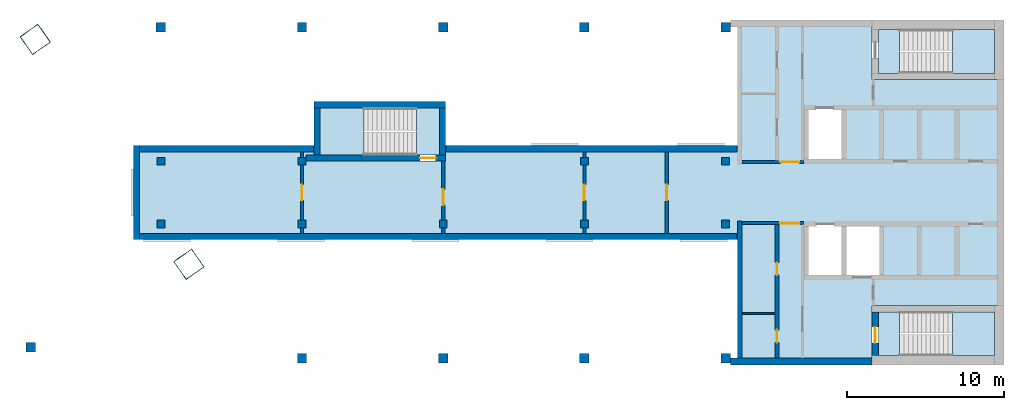
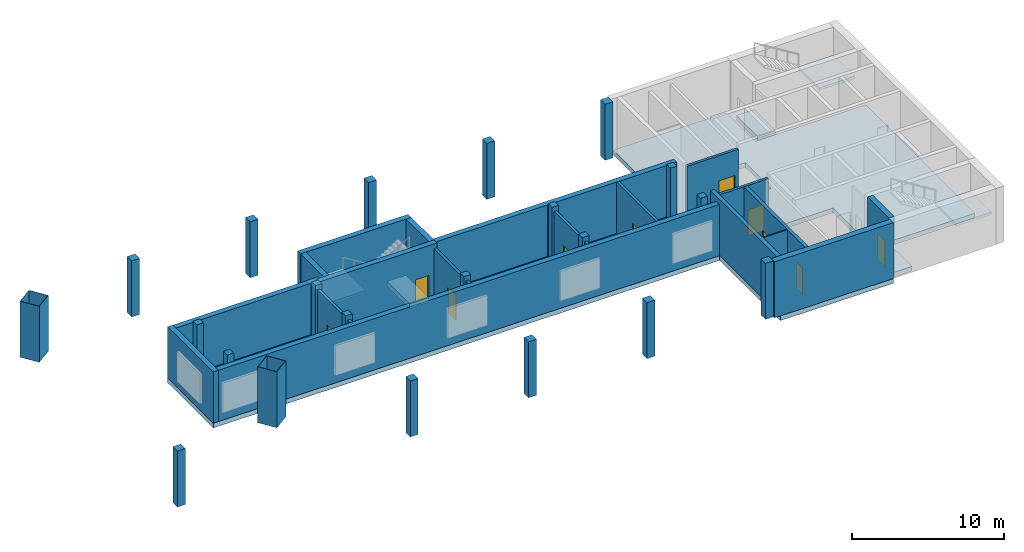
# One storey, part 1 of 4: 21 columns, 19 walls, 10 doors, 7 slabs, 10 openings, 3 elements without a shape of their own.
"""IFC4 building model written with IfcOpenShell, lengths in metres."""

from ifc_helpers import new_model, si_unit, direction, frame, frame_2d, origin, origin_2d, place, context, subcontext, project, spatial, polyline, rectangle, hollow_rectangle, outline, extrude, material, layer, layer_set, material_profile, profile_set, type_object, element, fill, aggregate, save


model = new_model("IFC4")

# Units and contexts
model_context = context("Model", 3, precision=1e-05, world=origin(), true_north=direction((0.0, 1.0)))
body_context = subcontext(model_context, "Body", "Model", "MODEL_VIEW")
ifc_project = project(units=[si_unit("LENGTHUNIT", "METRE"), si_unit("AREAUNIT", "SQUARE_METRE"), si_unit("VOLUMEUNIT", "CUBIC_METRE"), si_unit("PLANEANGLEUNIT", "RADIAN"), si_unit("MASSUNIT", "GRAM", prefix="KILO")], contexts=[model_context])

# Site, building, storey
site_placement = place(None, origin())
site = spatial("IfcSite", under=ifc_project, at=site_placement, CompositionType="ELEMENT")
building_placement = place(site_placement, origin())
building = spatial("IfcBuilding", under=site, at=building_placement, Name="Skarvind Civic Tower", CompositionType="ELEMENT")
storey_placement = place(building_placement, frame((0.0, 0.0, 291.0)))
storey = spatial("IfcBuildingStorey", under=building, at=storey_placement, Name="L69", CompositionType="ELEMENT", Elevation=291.0)

# Columns
ifc_material_1 = material(Name="Concrete C60", Category="concrete")
ifc_material_profile_1 = material_profile(ifc_material_1, rectangle(XDim=0.5, YDim=0.5, at=origin_2d()), Name="RC-500x500")
ifc_profile_set_1 = profile_set([ifc_material_profile_1], Name="Concrete C60")
column_type_1 = type_object("IfcColumnType", Name="Column RC-500x500 C60", PredefinedType="COLUMN", material=ifc_profile_set_1)
for number, where, z_axis, x_axis, name in (
    (1, (54.25, 130.0, 0.0), (0.0, 0.0, 1.0), (1.0, 0.0, 0.0), "Column wing 1 north inner 02 L69"),
    (2, (63.25, 130.0, 0.0), (0.0, 0.0, 1.0), (1.0, 0.0, 0.0), "Column wing 1 north inner 03 L69"),
    (3, (81.25, 130.0, 0.0), (0.0, 0.0, 1.0), (1.0, 0.0, 0.0), "Column wing 1 north inner 05 L69"),
    (4, (90.25, 130.0, 0.0), (0.0, 0.0, 1.0), (1.0, 0.0, 0.0), "Column wing 1 north inner 06 L69"),
    (5, (54.25, 126.0, 0.0), (0.0, 0.0, 1.0), (1.0, 0.0, 0.0), "Column wing 1 south inner 02 L69"),
    (6, (63.25, 126.0, 0.0), (0.0, 0.0, 1.0), (1.0, 0.0, 0.0), "Column wing 1 south inner 03 L69"),
    (7, (72.25, 126.0, 0.0), (0.0, 0.0, 1.0), (1.0, 0.0, 0.0), "Column wing 1 south inner 04 L69"),
    (8, (81.25, 126.0, 0.0), (0.0, 0.0, 1.0), (1.0, 0.0, 0.0), "Column wing 1 south inner 05 L69"),
    (9, (90.25, 126.0, 0.0), (0.0, 0.0, 1.0), (1.0, 0.0, 0.0), "Column wing 1 south inner 06 L69"),
):
    element("IfcColumn", number, at=place(storey_placement, frame(where, z_axis=z_axis, x_axis=x_axis)), inside=storey, type_object=column_type_1, Name=name, PredefinedType="COLUMN", context=body_context, shape_type="SweptSolid", body=[
        extrude(rectangle(XDim=0.5, YDim=0.5, at=origin_2d()), origin(), (0.0, 0.0, 1.0), 4.5),
    ])
ifc_material_profile_2 = material_profile(ifc_material_1, rectangle(XDim=0.60009765625, YDim=0.60009765625, at=origin_2d()), Name="RC-600x600")
ifc_profile_set_2 = profile_set([ifc_material_profile_2], Name="Concrete C60")
column_type_2 = type_object("IfcColumnType", Name="Column RC-600x600 C60", PredefinedType="COLUMN", material=ifc_profile_set_2)
for number, where, z_axis, x_axis, name in (
    (10, (54.25, 138.550048828125, 0.0), (0.0, 0.0, 1.0), (1.0, 0.0, 0.0), "Column wing 1 north perimeter 02 L69"),
    (11, (63.25, 138.550048828125, 0.0), (0.0, 0.0, 1.0), (1.0, 0.0, 0.0), "Column wing 1 north perimeter 03 L69"),
    (12, (72.25, 138.550048828125, 0.0), (0.0, 0.0, 1.0), (1.0, 0.0, 0.0), "Column wing 1 north perimeter 04 L69"),
    (13, (81.25, 138.550048828125, 0.0), (0.0, 0.0, 1.0), (1.0, 0.0, 0.0), "Column wing 1 north perimeter 05 L69"),
    (14, (90.25, 138.550048828125, 0.0), (0.0, 0.0, 1.0), (1.0, 0.0, 0.0), "Column wing 1 north perimeter 06 L69"),
    (15, (45.95166015625, 118.151611328125, 0.0), (0.0, 0.0, 1.0), (1.0, 0.0, 0.0), "Column wing 1 south perimeter 01 L69"),
    (16, (63.25, 117.449951171875, 0.0), (0.0, 0.0, 1.0), (1.0, 0.0, 0.0), "Column wing 1 south perimeter 03 L69"),
    (17, (72.25, 117.449951171875, 0.0), (0.0, 0.0, 1.0), (1.0, 0.0, 0.0), "Column wing 1 south perimeter 04 L69"),
    (18, (81.25, 117.449951171875, 0.0), (0.0, 0.0, 1.0), (1.0, 0.0, 0.0), "Column wing 1 south perimeter 05 L69"),
    (19, (90.25, 117.449951171875, 0.0), (0.0, 0.0, 1.0), (1.0, 0.0, 0.0), "Column wing 1 south perimeter 06 L69"),
):
    element("IfcColumn", number, at=place(storey_placement, frame(where, z_axis=z_axis, x_axis=x_axis)), inside=storey, type_object=column_type_2, Name=name, PredefinedType="COLUMN", context=body_context, shape_type="SweptSolid", body=[
        extrude(rectangle(XDim=0.60009765625, YDim=0.60009765625, at=origin_2d()), origin(), (0.0, 0.0, 1.0), 4.5),
    ])
ifc_material_2 = material(Name="Composite concrete-filled steel tube, Steel SM355 with Concrete C60", Category="concrete")
ifc_material_profile_3 = material_profile(ifc_material_2, hollow_rectangle(XDim=1.39990234375, YDim=1.39990234375, WallThickness=0.02490234375, at=origin_2d()), Name="BOX-1400x1400x25")
ifc_profile_set_3 = profile_set([ifc_material_profile_3], Name="Composite concrete-filled steel tube, Steel SM355 with Concrete C60")
column_type_3 = type_object("IfcColumnType", Name="Mega column BOX-1400x1400x25 filled C60", PredefinedType="COLUMN", material=ifc_profile_set_3)
for number, where, z_axis, x_axis, name in (
    (20, (46.2470703125, 137.762451171875, 0.0), (0.0, 0.0, 1.0), (0.573576436351, -0.819152044289, 0.0), "Mega column 2 L69"),
    (21, (56.0361328125, 123.43017578125, 0.0), (0.0, 0.0, 1.0), (0.573576436351, -0.819152044289, 0.0), "Mega column 4 L69"),
):
    element("IfcColumn", number, at=place(storey_placement, frame(where, z_axis=z_axis, x_axis=x_axis)), inside=storey, type_object=column_type_3, Name=name, PredefinedType="COLUMN", context=body_context, shape_type="SweptSolid", body=[
        extrude(hollow_rectangle(XDim=1.39990234375, YDim=1.39990234375, WallThickness=0.02490234375, at=origin_2d()), origin(), (0.0, 0.0, 1.0), 4.5),
    ])

# Slabs
ifc_material_3 = material(Name="Concrete C50", Category="concrete")
ifc_layer_1 = layer(ifc_material_3, 0.375)
ifc_layer_set_1 = layer_set([ifc_layer_1], Name="Floor slab 375 C50")
slab_type_1 = type_object("IfcSlabType", Name="Floor slab 375 C50", PredefinedType="FLOOR", material=ifc_layer_set_1)
slab_1_placement = place(storey_placement, frame((0.0, 0.0, -0.375)))
element("IfcSlab", 22, at=slab_1_placement, inside=storey, type_object=slab_type_1, Name="Floor slab L69 1", PredefinedType="FLOOR", context=body_context, shape_type="SweptSolid", body=[
    extrude(outline(polyline([(99.60009765625, 117.0), (99.60009765625, 120.800048828125), (108.0, 120.800048828125), (108.0, 135.199951171875), (99.60009765625, 135.199951171875), (99.60009765625, 139.0), (91.0, 139.0), (91.0, 131.0), (72.39990234375, 131.0), (72.39990234375, 130.0), (64.0, 130.0), (64.0, 131.0), (52.5, 131.0), (52.5, 125.0), (91.0, 125.0), (91.0, 117.0), (99.60009765625, 117.0)]), holes=[polyline([(97.800048828125, 126.0), (100.199951171875, 126.0), (100.199951171875, 122.60009765625), (97.800048828125, 122.60009765625), (95.39990234375, 122.60009765625), (95.39990234375, 126.0), (97.800048828125, 126.0)]), polyline([(95.39990234375, 130.0), (95.39990234375, 133.39990234375), (97.800048828125, 133.39990234375), (97.800048828125, 130.0), (95.39990234375, 130.0)])]), origin(), (0.0, 0.0, 1.0), 0.375),
])
ifc_material_4 = material(Name="Concrete C40/50", Category="concrete")
ifc_layer_2 = layer(ifc_material_4, 0.375)
ifc_layer_set_2 = layer_set([ifc_layer_2], Name="Stair floor landing slab 375")
slab_type_2 = type_object("IfcSlabType", Name="Stair floor landing slab 375", PredefinedType="LANDING", material=ifc_layer_set_2)
slab_2_placement = place(storey_placement, frame((0.0, 0.0, -0.375)))
element("IfcSlab", 23, at=slab_2_placement, inside=storey, type_object=slab_type_2, Name="Stair floor landing", PredefinedType="LANDING", context=body_context, shape_type="SweptSolid", body=[
    extrude(outline(polyline([(101.3505859375, 138.400634765625), (101.3505859375, 135.599365234375), (99.99951171875, 135.599365234375), (99.99951171875, 138.400634765625), (101.3505859375, 138.400634765625)])), origin(), (0.0, 0.0, 1.0), 0.375),
])
slab_3_placement = place(storey_placement, frame((0.0, 0.0, -0.375)))
element("IfcSlab", 24, at=slab_3_placement, inside=storey, type_object=slab_type_2, Name="Stair floor landing", PredefinedType="LANDING", context=body_context, shape_type="SweptSolid", body=[
    extrude(outline(polyline([(101.3505859375, 120.400634765625), (101.3505859375, 117.599365234375), (99.99951171875, 117.599365234375), (99.99951171875, 120.400634765625), (101.3505859375, 120.400634765625)])), origin(), (0.0, 0.0, 1.0), 0.375),
])
slab_4_placement = place(storey_placement, frame((0.0, 0.0, -0.375)))
element("IfcSlab", 25, at=slab_4_placement, inside=storey, type_object=slab_type_2, Name="Stair floor landing", PredefinedType="LANDING", context=body_context, shape_type="SweptSolid", body=[
    extrude(outline(polyline([(70.54931640625, 130.3994140625), (70.54931640625, 133.400634765625), (72.00048828125, 133.400634765625), (72.00048828125, 130.3994140625), (70.54931640625, 130.3994140625)])), origin(), (0.0, 0.0, 1.0), 0.375),
])

# Stair, slab
stair_type_1 = type_object("IfcStairType", Name="Exit stair, half-turn, concrete", PredefinedType="HALF_TURN_STAIR", material=ifc_material_4)
stair_1_placement = place(storey_placement, origin())
stair_1 = element("IfcStair", 26, at=stair_1_placement, inside=storey, type_object=stair_type_1, Name="Exit stair C1S", PredefinedType="HALF_TURN_STAIR")
ifc_layer_3 = layer(ifc_material_4, 0.199951171875)
ifc_layer_set_3 = layer_set([ifc_layer_3], Name="Stair half landing slab")
slab_type_3 = type_object("IfcSlabType", Name="Stair half landing slab", PredefinedType="LANDING", material=ifc_layer_set_3)
slab_5_placement = place(storey_placement, frame((0.0, 0.0, 2.050048828125)))
slab_5 = element("IfcSlab", 27, at=slab_5_placement, type_object=slab_type_3, Name="ST-C1S landing 1", PredefinedType="LANDING", context=body_context, shape_type="SweptSolid", body=[
    extrude(outline(polyline([(104.70947265625, 135.599365234375), (104.70947265625, 138.400634765625), (107.400634765625, 138.400634765625), (107.400634765625, 135.599365234375), (104.70947265625, 135.599365234375)])), origin(), (0.0, 0.0, 1.0), 0.199951171875),
])
aggregate(stair_1, [slab_5])

stair_2_placement = place(storey_placement, origin())
stair_2 = element("IfcStair", 28, at=stair_2_placement, inside=storey, type_object=stair_type_1, Name="Exit stair C1N", PredefinedType="HALF_TURN_STAIR")
slab_6_placement = place(storey_placement, frame((0.0, 0.0, 2.050048828125)))
slab_6 = element("IfcSlab", 29, at=slab_6_placement, type_object=slab_type_3, Name="ST-C1N landing 1", PredefinedType="LANDING", context=body_context, shape_type="SweptSolid", body=[
    extrude(outline(polyline([(104.70947265625, 117.599365234375), (104.70947265625, 120.400634765625), (107.400634765625, 120.400634765625), (107.400634765625, 117.599365234375), (104.70947265625, 117.599365234375)])), origin(), (0.0, 0.0, 1.0), 0.199951171875),
])
aggregate(stair_2, [slab_6])

stair_type_2 = type_object("IfcStairType", Name="Exit stair 1450, half-turn, concrete", PredefinedType="HALF_TURN_STAIR", material=ifc_material_4)
stair_3_placement = place(storey_placement, origin())
stair_3 = element("IfcStair", 30, at=stair_3_placement, inside=storey, type_object=stair_type_2, Name="Exit stair CM", PredefinedType="HALF_TURN_STAIR")
slab_7_placement = place(storey_placement, frame((0.0, 0.0, 2.050048828125)))
slab_7 = element("IfcSlab", 31, at=slab_7_placement, type_object=slab_type_3, Name="ST-CM landing 1", PredefinedType="LANDING", context=body_context, shape_type="SweptSolid", body=[
    extrude(outline(polyline([(67.190673828125, 133.400634765625), (67.190673828125, 130.3994140625), (64.3994140625, 130.3994140625), (64.3994140625, 133.400634765625), (67.190673828125, 133.400634765625)])), origin(), (0.0, 0.0, 1.0), 0.199951171875),
])
aggregate(stair_3, [slab_7])

# Wall, opening, door
ifc_material_5 = material(Name="Fire-rated masonry partition", Category="masonry")
ifc_layer_4 = layer(ifc_material_5, 0.199951171875)
ifc_layer_set_4 = layer_set([ifc_layer_4], Name="Core enclosure wall 200")
wall_type_1 = type_object("IfcWallType", Name="Core enclosure wall 200", PredefinedType="PARTITIONING", material=ifc_layer_set_4)
wall_1_placement = place(storey_placement, frame((95.25, 126.050048828125, 0.0), z_axis=(0.0, 0.0, 1.0), x_axis=(-1.0, 0.0, 0.0)))
wall_1 = element("IfcWall", 32, at=wall_1_placement, inside=storey, type_object=wall_type_1, Name="Core wall C1", PredefinedType="PARTITIONING", context=body_context, shape_type="SweptSolid", body=[
    extrude(rectangle(XDim=3.949951171875, YDim=0.199951171875, at=frame_2d((1.97509765625, 0.0))), origin(), (0.0, 0.0, 1.0), 4.125),
])
opening_1_placement = place(wall_1_placement, frame((0.300048828125, 0.0, 0.0)))
opening_1 = element("IfcOpeningElement", 33, at=opening_1_placement, cuts=wall_1, Name="Opening D-L69-C1-05", PredefinedType="OPENING", context=body_context, shape_type="SweptSolid", body=[
    extrude(rectangle(XDim=1.199951171875, YDim=2.10009765625, at=frame_2d((0.60009765625, 1.050048828125))), frame((0.0, 0.10986328125, 0.0), z_axis=(0.0, -1.0, 0.0), x_axis=(1.0, 0.0, 0.0)), (0.0, 0.0, 1.0), 0.219970703125),
])
ifc_material_6 = material(Name="Fire-rated steel door", Category="steel")
door_type_1 = type_object("IfcDoorType", Name="Core lobby door 1200", OperationType="NOTDEFINED", PredefinedType="DOOR", material=ifc_material_6)
door_1_placement = place(opening_1_placement, origin())
door_1 = element("IfcDoor", 34, at=door_1_placement, inside=storey, type_object=door_type_1, Name="Fire door", OperationType="DOUBLE_DOOR_SINGLE_SWING", OverallHeight=2.10009765625, OverallWidth=1.199951171875, PredefinedType="DOOR", context=body_context, shape_type="SweptSolid", body=[
    extrude(rectangle(XDim=1.199951171875, YDim=2.10009765625, at=frame_2d((0.60009765625, 1.050048828125))), frame((0.0, 0.02490234375, 0.0), z_axis=(0.0, -1.0, 0.0), x_axis=(1.0, 0.0, 0.0)), (0.0, 0.0, 1.0), 0.050048828125),
])
fill(opening_1, door_1)

wall_2_placement = place(storey_placement, frame((91.300048828125, 129.949951171875, 0.0), z_axis=(0.0, 0.0, 1.0), x_axis=(1.0, 0.0, 0.0)))
wall_2 = element("IfcWall", 35, at=wall_2_placement, inside=storey, type_object=wall_type_1, Name="Core wall C1", PredefinedType="PARTITIONING", context=body_context, shape_type="SweptSolid", body=[
    extrude(rectangle(XDim=3.949951171875, YDim=0.199951171875, at=frame_2d((1.97509765625, 0.0))), origin(), (0.0, 0.0, 1.0), 4.125),
])
opening_2_placement = place(wall_2_placement, frame((2.449951171875, 0.0, 0.0)))
opening_2 = element("IfcOpeningElement", 36, at=opening_2_placement, cuts=wall_2, Name="Opening D-L69-C1-11", PredefinedType="OPENING", context=body_context, shape_type="SweptSolid", body=[
    extrude(rectangle(XDim=1.199951171875, YDim=2.10009765625, at=frame_2d((0.60009765625, 1.050048828125))), frame((0.0, 0.10986328125, 0.0), z_axis=(0.0, -1.0, 0.0), x_axis=(1.0, 0.0, 0.0)), (0.0, 0.0, 1.0), 0.219970703125),
])
door_2_placement = place(opening_2_placement, origin())
door_2 = element("IfcDoor", 37, at=door_2_placement, inside=storey, type_object=door_type_1, Name="Fire door", OperationType="DOUBLE_DOOR_SINGLE_SWING", OverallHeight=2.10009765625, OverallWidth=1.199951171875, PredefinedType="DOOR", context=body_context, shape_type="SweptSolid", body=[
    extrude(rectangle(XDim=1.199951171875, YDim=2.10009765625, at=frame_2d((0.60009765625, 1.050048828125))), frame((0.0, 0.02490234375, 0.0), z_axis=(0.0, -1.0, 0.0), x_axis=(1.0, 0.0, 0.0)), (0.0, 0.0, 1.0), 0.050048828125),
])
fill(opening_2, door_2)

# Walls
ifc_material_7 = material(Name="Fire-rated plasterboard partition")
ifc_layer_5 = layer(ifc_material_7, 0.10009765625)
ifc_layer_set_5 = layer_set([ifc_layer_5], Name="Core partition wall 100")
wall_type_2 = type_object("IfcWallType", Name="Core partition wall 100", PredefinedType="PARTITIONING", material=ifc_layer_set_5)
wall_3_placement = place(storey_placement, frame((93.39990234375, 120.280029296875, 0.0), z_axis=(0.0, 0.0, 1.0), x_axis=(-1.0, 0.0, 0.0)))
element("IfcWall", 38, at=wall_3_placement, inside=storey, type_object=wall_type_2, Name="Core wall C1", PredefinedType="PARTITIONING", context=body_context, shape_type="SweptSolid", body=[
    extrude(rectangle(XDim=2.099853515625, YDim=0.10009765625, at=frame_2d((1.0498046875, 0.0))), origin(), (0.0, 0.0, 1.0), 4.125),
])
ifc_layer_6 = layer(ifc_material_1, 0.300048828125)
ifc_layer_set_6 = layer_set([ifc_layer_6], Name="Core wall 300 C60")
wall_type_3 = type_object("IfcWallType", Name="Core wall 300 C60", PredefinedType="SHEAR", material=ifc_layer_set_6)
wall_4_placement = place(storey_placement, frame((91.14990234375, 126.199951171875, 0.0), z_axis=(0.0, 0.0, 1.0), x_axis=(0.0, -1.0, 0.0)))
element("IfcWall", 39, at=wall_4_placement, inside=storey, type_object=wall_type_3, Name="Core wall C1 north inner face L69", PredefinedType="SHEAR", context=body_context, shape_type="SweptSolid", body=[
    extrude(rectangle(XDim=8.75, YDim=0.300048828125, at=frame_2d((4.375, 0.0))), origin(), (0.0, 0.0, 1.0), 4.5),
])

# Wall, opening, door
ifc_layer_7 = layer(ifc_material_1, 0.39990234375)
ifc_layer_set_7 = layer_set([ifc_layer_7], Name="Core wall 400 C60")
wall_type_4 = type_object("IfcWallType", Name="Core wall 400 C60", PredefinedType="SHEAR", material=ifc_layer_set_7)
wall_5_placement = place(storey_placement, frame((99.800048828125, 120.39990234375, 0.0), z_axis=(0.0, 0.0, 1.0), x_axis=(0.0, -1.0, 0.0)))
wall_5 = element("IfcWall", 40, at=wall_5_placement, inside=storey, type_object=wall_type_4, Name="Core wall C1 north stair end L69", PredefinedType="SHEAR", context=body_context, shape_type="SweptSolid", body=[
    extrude(rectangle(XDim=2.7998046875, YDim=0.39990234375, at=frame_2d((1.39990234375, 0.0))), origin(), (0.0, 0.0, 1.0), 4.5),
])
opening_3_placement = place(wall_5_placement, frame((0.97509765625, 0.0, 0.0)))
opening_3 = element("IfcOpeningElement", 41, at=opening_3_placement, cuts=wall_5, Name="Opening D-L69-C1-07", PredefinedType="OPENING", context=body_context, shape_type="SweptSolid", body=[
    extrude(rectangle(XDim=1.0, YDim=2.10009765625, at=frame_2d((0.5, 1.050048828125))), frame((0.0, 0.2099609375, 0.0), z_axis=(0.0, -1.0, 0.0), x_axis=(1.0, 0.0, 0.0)), (0.0, 0.0, 1.0), 0.419921875),
])
door_type_2 = type_object("IfcDoorType", Name="Fire door 1000", OperationType="NOTDEFINED", PredefinedType="DOOR", material=ifc_material_6)
door_3_placement = place(opening_3_placement, origin())
door_3 = element("IfcDoor", 42, at=door_3_placement, inside=storey, type_object=door_type_2, Name="Fire door", OperationType="SINGLE_SWING_LEFT", OverallHeight=2.10009765625, OverallWidth=1.0, PredefinedType="DOOR", context=body_context, shape_type="SweptSolid", body=[
    extrude(rectangle(XDim=1.0, YDim=2.10009765625, at=frame_2d((0.5, 1.050048828125))), frame((0.0, 0.02490234375, 0.0), z_axis=(0.0, -1.0, 0.0), x_axis=(1.0, 0.0, 0.0)), (0.0, 0.0, 1.0), 0.050048828125),
])
fill(opening_3, door_3)

wall_6_placement = place(storey_placement, frame((63.5, 130.199951171875, 0.0), z_axis=(0.0, 0.0, 1.0), x_axis=(1.0, 0.0, 0.0)))
wall_6 = element("IfcWall", 43, at=wall_6_placement, inside=storey, type_object=wall_type_4, Name="Core wall CM inner L69", PredefinedType="SHEAR", context=body_context, shape_type="SweptSolid", body=[
    extrude(rectangle(XDim=8.89990234375, YDim=0.39990234375, at=frame_2d((4.449951171875, 0.0))), origin(), (0.0, 0.0, 1.0), 4.5),
])
opening_4_placement = place(wall_6_placement, frame((7.27490234375, 0.0, 0.0)))
opening_4 = element("IfcOpeningElement", 44, at=opening_4_placement, cuts=wall_6, Name="Opening D-L69-CM-01", PredefinedType="OPENING", context=body_context, shape_type="SweptSolid", body=[
    extrude(rectangle(XDim=1.0, YDim=2.10009765625, at=frame_2d((0.5, 1.050048828125))), frame((0.0, 0.2099609375, 0.0), z_axis=(0.0, -1.0, 0.0), x_axis=(1.0, 0.0, 0.0)), (0.0, 0.0, 1.0), 0.419921875),
])
door_4_placement = place(opening_4_placement, origin())
door_4 = element("IfcDoor", 45, at=door_4_placement, inside=storey, type_object=door_type_2, Name="Fire door", OperationType="SINGLE_SWING_LEFT", OverallHeight=2.10009765625, OverallWidth=1.0, PredefinedType="DOOR", context=body_context, shape_type="SweptSolid", body=[
    extrude(rectangle(XDim=1.0, YDim=2.10009765625, at=frame_2d((0.5, 1.050048828125))), frame((0.0, 0.02490234375, 0.0), z_axis=(0.0, -1.0, 0.0), x_axis=(1.0, 0.0, 0.0)), (0.0, 0.0, 1.0), 0.050048828125),
])
fill(opening_4, door_4)

# Walls
wall_7_placement = place(storey_placement, frame((64.0, 133.60009765625, 0.0), z_axis=(0.0, 0.0, 1.0), x_axis=(1.0, 0.0, 0.0)))
element("IfcWall", 46, at=wall_7_placement, inside=storey, type_object=wall_type_4, Name="Core wall CM outer L69", PredefinedType="SHEAR", context=body_context, shape_type="SweptSolid", body=[
    extrude(rectangle(XDim=8.39990234375, YDim=0.39990234375, at=frame_2d((4.199951171875, 0.0))), origin(), (0.0, 0.0, 1.0), 4.5),
])
for number, where, z_axis, x_axis, name in (
    (47, (64.199951171875, 130.39990234375, 0.0), (0.0, 0.0, 1.0), (0.0, 1.0, 0.0), "Core wall CM west L69"),
    (48, (72.199951171875, 130.39990234375, 0.0), (0.0, 0.0, 1.0), (0.0, 1.0, 0.0), "Core wall CM end L69"),
):
    element("IfcWall", number, at=place(storey_placement, frame(where, z_axis=z_axis, x_axis=x_axis)), inside=storey, type_object=wall_type_4, Name=name, PredefinedType="SHEAR", context=body_context, shape_type="SweptSolid", body=[
        extrude(rectangle(XDim=3.0, YDim=0.39990234375, at=frame_2d((1.5, 0.0))), origin(), (0.0, 0.0, 1.0), 4.5),
    ])
ifc_layer_8 = layer(ifc_material_1, 0.449951171875)
ifc_layer_set_8 = layer_set([ifc_layer_8], Name="Core wall 450 C60")
wall_type_5 = type_object("IfcWallType", Name="Core wall 450 C60", PredefinedType="SHEAR", material=ifc_layer_set_8)
wall_8_placement = place(storey_placement, frame((99.60009765625, 117.22509765625, 0.0), z_axis=(0.0, 0.0, 1.0), x_axis=(-1.0, 0.0, 0.0)))
element("IfcWall", 49, at=wall_8_placement, inside=storey, type_object=wall_type_5, Name="Core wall C1 north side L69", PredefinedType="SHEAR", context=body_context, shape_type="SweptSolid", body=[
    extrude(rectangle(XDim=9.050048828125, YDim=0.449951171875, at=frame_2d((4.52490234375, 0.0))), origin(), (0.0, 0.0, 1.0), 4.5),
])

# Wall, opening, door
ifc_material_8 = material(Name="Fire-rated blockwork wall, plastered", Category="masonry")
ifc_layer_9 = layer(ifc_material_8, 0.199951171875)
ifc_layer_set_9 = layer_set([ifc_layer_9], Name="FIRE WALL 200 EI 120")
wall_type_6 = type_object("IfcWallType", Name="FIRE WALL 200 EI 120", PredefinedType="PARTITIONING", material=ifc_layer_set_9)
wall_9_placement = place(storey_placement, frame((63.25, 130.60009765625, 0.0), z_axis=(0.0, 0.0, 1.0), x_axis=(0.0, -1.0, 0.0)))
wall_9 = element("IfcWall", 50, at=wall_9_placement, inside=storey, type_object=wall_type_6, Name="Crown partition L69 001", PredefinedType="PARTITIONING", context=body_context, shape_type="SweptSolid", body=[
    extrude(rectangle(XDim=5.2001953125, YDim=0.199951171875, at=frame_2d((2.60009765625, 0.0))), origin(), (0.0, 0.0, 1.0), 4.125),
])
opening_5_placement = place(wall_9_placement, frame((2.10009765625, 0.0, 0.0)))
opening_5 = element("IfcOpeningElement", 51, at=opening_5_placement, cuts=wall_9, Name="Opening L69-D201", PredefinedType="OPENING", context=body_context, shape_type="SweptSolid", body=[
    extrude(rectangle(XDim=1.0, YDim=2.10009765625, at=frame_2d((0.5, 1.050048828125))), frame((0.0, 0.10986328125, 0.0), z_axis=(0.0, -1.0, 0.0), x_axis=(1.0, 0.0, 0.0)), (0.0, 0.0, 1.0), 0.219970703125),
])
ifc_material_9 = material(Name="Painted steel fire door leaf", Category="steel")
door_type_3 = type_object("IfcDoorType", Name="FIRE DOOR 1000X2100 STEEL", OperationType="NOTDEFINED", PredefinedType="DOOR", material=ifc_material_9)
door_5_placement = place(opening_5_placement, origin())
door_5 = element("IfcDoor", 52, at=door_5_placement, inside=storey, type_object=door_type_3, Name="FIRE DOOR", OperationType="SINGLE_SWING_RIGHT", OverallHeight=2.10009765625, OverallWidth=1.0, PredefinedType="DOOR", context=body_context, shape_type="SweptSolid", body=[
    extrude(rectangle(XDim=1.0, YDim=2.10009765625, at=frame_2d((0.5, 1.050048828125))), frame((0.0, 0.02490234375, 0.0), z_axis=(0.0, -1.0, 0.0), x_axis=(1.0, 0.0, 0.0)), (0.0, 0.0, 1.0), 0.050048828125),
])
fill(opening_5, door_5)

ifc_layer_10 = layer(ifc_material_8, 0.199951171875)
ifc_layer_set_10 = layer_set([ifc_layer_10], Name="FIRE WALL 200 EI 60")
wall_type_7 = type_object("IfcWallType", Name="FIRE WALL 200 EI 60", PredefinedType="PARTITIONING", material=ifc_layer_set_10)
wall_10_placement = place(storey_placement, frame((72.25, 130.0, 0.0), z_axis=(0.0, 0.0, 1.0), x_axis=(0.0, -1.0, 0.0)))
wall_10 = element("IfcWall", 53, at=wall_10_placement, inside=storey, type_object=wall_type_7, Name="Crown partition L69 002", PredefinedType="PARTITIONING", context=body_context, shape_type="SweptSolid", body=[
    extrude(rectangle(XDim=4.6201171875, YDim=0.199951171875, at=frame_2d((2.31005859375, 0.0))), origin(), (0.0, 0.0, 1.0), 4.125),
])
opening_6_placement = place(wall_10_placement, frame((1.800048828125, 0.0, 0.0)))
opening_6 = element("IfcOpeningElement", 54, at=opening_6_placement, cuts=wall_10, Name="Opening L69-D202", PredefinedType="OPENING", context=body_context, shape_type="SweptSolid", body=[
    extrude(rectangle(XDim=1.0, YDim=2.10009765625, at=frame_2d((0.5, 1.050048828125))), frame((0.0, 0.10986328125, 0.0), z_axis=(0.0, -1.0, 0.0), x_axis=(1.0, 0.0, 0.0)), (0.0, 0.0, 1.0), 0.219970703125),
])
door_6_placement = place(opening_6_placement, origin())
door_6 = element("IfcDoor", 55, at=door_6_placement, inside=storey, type_object=door_type_3, Name="FIRE DOOR", OperationType="SINGLE_SWING_LEFT", OverallHeight=2.10009765625, OverallWidth=1.0, PredefinedType="DOOR", context=body_context, shape_type="SweptSolid", body=[
    extrude(rectangle(XDim=1.0, YDim=2.10009765625, at=frame_2d((0.5, 1.050048828125))), frame((0.0, 0.02490234375, 0.0), z_axis=(0.0, -1.0, 0.0), x_axis=(1.0, 0.0, 0.0)), (0.0, 0.0, 1.0), 0.050048828125),
])
fill(opening_6, door_6)

wall_11_placement = place(storey_placement, frame((81.25, 130.60009765625, 0.0), z_axis=(0.0, 0.0, 1.0), x_axis=(0.0, -1.0, 0.0)))
wall_11 = element("IfcWall", 56, at=wall_11_placement, inside=storey, type_object=wall_type_7, Name="Crown partition L69 003", PredefinedType="PARTITIONING", context=body_context, shape_type="SweptSolid", body=[
    extrude(rectangle(XDim=5.2001953125, YDim=0.199951171875, at=frame_2d((2.60009765625, 0.0))), origin(), (0.0, 0.0, 1.0), 4.125),
])
opening_7_placement = place(wall_11_placement, frame((2.10009765625, 0.0, 0.0)))
opening_7 = element("IfcOpeningElement", 57, at=opening_7_placement, cuts=wall_11, Name="Opening L69-D203", PredefinedType="OPENING", context=body_context, shape_type="SweptSolid", body=[
    extrude(rectangle(XDim=1.0, YDim=2.10009765625, at=frame_2d((0.5, 1.050048828125))), frame((0.0, 0.10986328125, 0.0), z_axis=(0.0, -1.0, 0.0), x_axis=(1.0, 0.0, 0.0)), (0.0, 0.0, 1.0), 0.219970703125),
])
door_7_placement = place(opening_7_placement, origin())
door_7 = element("IfcDoor", 58, at=door_7_placement, inside=storey, type_object=door_type_3, Name="FIRE DOOR", OperationType="SINGLE_SWING_RIGHT", OverallHeight=2.10009765625, OverallWidth=1.0, PredefinedType="DOOR", context=body_context, shape_type="SweptSolid", body=[
    extrude(rectangle(XDim=1.0, YDim=2.10009765625, at=frame_2d((0.5, 1.050048828125))), frame((0.0, 0.02490234375, 0.0), z_axis=(0.0, -1.0, 0.0), x_axis=(1.0, 0.0, 0.0)), (0.0, 0.0, 1.0), 0.050048828125),
])
fill(opening_7, door_7)

wall_12_placement = place(storey_placement, frame((86.5, 125.39990234375, 0.0), z_axis=(0.0, 0.0, 1.0), x_axis=(0.0, 1.0, 0.0)))
wall_12 = element("IfcWall", 59, at=wall_12_placement, inside=storey, type_object=wall_type_7, Name="Crown partition L69 004", PredefinedType="PARTITIONING", context=body_context, shape_type="SweptSolid", body=[
    extrude(rectangle(XDim=5.2001953125, YDim=0.199951171875, at=frame_2d((2.60009765625, 0.0))), origin(), (0.0, 0.0, 1.0), 4.125),
])
opening_8_placement = place(wall_12_placement, frame((2.10009765625, 0.0, 0.0)))
opening_8 = element("IfcOpeningElement", 60, at=opening_8_placement, cuts=wall_12, Name="Opening L69-D204", PredefinedType="OPENING", context=body_context, shape_type="SweptSolid", body=[
    extrude(rectangle(XDim=1.0, YDim=2.10009765625, at=frame_2d((0.5, 1.050048828125))), frame((0.0, 0.10986328125, 0.0), z_axis=(0.0, -1.0, 0.0), x_axis=(1.0, 0.0, 0.0)), (0.0, 0.0, 1.0), 0.219970703125),
])
door_8_placement = place(opening_8_placement, origin())
door_8 = element("IfcDoor", 61, at=door_8_placement, inside=storey, type_object=door_type_3, Name="FIRE DOOR", OperationType="SINGLE_SWING_LEFT", OverallHeight=2.10009765625, OverallWidth=1.0, PredefinedType="DOOR", context=body_context, shape_type="SweptSolid", body=[
    extrude(rectangle(XDim=1.0, YDim=2.10009765625, at=frame_2d((0.5, 1.050048828125))), frame((0.0, 0.02490234375, 0.0), z_axis=(0.0, -1.0, 0.0), x_axis=(1.0, 0.0, 0.0)), (0.0, 0.0, 1.0), 0.050048828125),
])
fill(opening_8, door_8)

# Wall, openings, doors
ifc_layer_11 = layer(ifc_material_5, 0.25)
ifc_layer_set_11 = layer_set([ifc_layer_11], Name="Service block wall 250")
wall_type_8 = type_object("IfcWallType", Name="Service block wall 250", PredefinedType="PARTITIONING", material=ifc_layer_set_11)
wall_13_placement = place(storey_placement, frame((93.52490234375, 117.449951171875, 0.0), z_axis=(0.0, 0.0, 1.0), x_axis=(0.0, 1.0, 0.0)))
wall_13 = element("IfcWall", 62, at=wall_13_placement, inside=storey, type_object=wall_type_8, Name="Core wall C1", PredefinedType="PARTITIONING", context=body_context, shape_type="SweptSolid", body=[
    extrude(rectangle(XDim=8.5, YDim=0.25, at=frame_2d((4.25, 0.0))), origin(), (0.0, 0.0, 1.0), 4.125),
])
opening_9_placement = place(wall_13_placement, frame((5.2900390625, 0.0, 0.0)))
opening_9 = element("IfcOpeningElement", 63, at=opening_9_placement, cuts=wall_13, Name="Opening D-L69-C1-09", PredefinedType="OPENING", context=body_context, shape_type="SweptSolid", body=[
    extrude(rectangle(XDim=0.800048828125, YDim=2.10009765625, at=frame_2d((0.39990234375, 1.050048828125))), frame((0.0, 0.135009765625, 0.0), z_axis=(0.0, -1.0, 0.0), x_axis=(1.0, 0.0, 0.0)), (0.0, 0.0, 1.0), 0.27001953125),
])
opening_10_placement = place(wall_13_placement, frame((0.989990234375, 0.0, 0.0)))
opening_10 = element("IfcOpeningElement", 64, at=opening_10_placement, cuts=wall_13, Name="Opening D-L69-C1-10", PredefinedType="OPENING", context=body_context, shape_type="SweptSolid", body=[
    extrude(rectangle(XDim=0.800048828125, YDim=2.10009765625, at=frame_2d((0.39990234375, 1.050048828125))), frame((0.0, 0.135009765625, 0.0), z_axis=(0.0, -1.0, 0.0), x_axis=(1.0, 0.0, 0.0)), (0.0, 0.0, 1.0), 0.27001953125),
])
door_type_4 = type_object("IfcDoorType", Name="Core riser door 800", OperationType="NOTDEFINED", PredefinedType="DOOR", material=ifc_material_6)
door_9_placement = place(opening_9_placement, origin())
door_9 = element("IfcDoor", 65, at=door_9_placement, inside=storey, type_object=door_type_4, Name="Riser door", OperationType="SINGLE_SWING_LEFT", OverallHeight=2.10009765625, OverallWidth=0.800048828125, PredefinedType="DOOR", context=body_context, shape_type="SweptSolid", body=[
    extrude(rectangle(XDim=0.800048828125, YDim=2.10009765625, at=frame_2d((0.39990234375, 1.050048828125))), frame((0.0, 0.02490234375, 0.0), z_axis=(0.0, -1.0, 0.0), x_axis=(1.0, 0.0, 0.0)), (0.0, 0.0, 1.0), 0.050048828125),
])
fill(opening_9, door_9)
door_10_placement = place(opening_10_placement, origin())
door_10 = element("IfcDoor", 66, at=door_10_placement, inside=storey, type_object=door_type_4, Name="Riser door", OperationType="SINGLE_SWING_RIGHT", OverallHeight=2.10009765625, OverallWidth=0.800048828125, PredefinedType="DOOR", context=body_context, shape_type="SweptSolid", body=[
    extrude(rectangle(XDim=0.800048828125, YDim=2.10009765625, at=frame_2d((0.39990234375, 1.050048828125))), frame((0.0, 0.02490234375, 0.0), z_axis=(0.0, -1.0, 0.0), x_axis=(1.0, 0.0, 0.0)), (0.0, 0.0, 1.0), 0.050048828125),
])
fill(opening_10, door_10)

# Walls
ifc_material_10 = material(Name="Copper cladding on insulated backing")
ifc_layer_12 = layer(ifc_material_10, 0.39990234375)
ifc_layer_set_12 = layer_set([ifc_layer_12], Name="WX5 COPPER-CLAD PLANT WALL 400")
wall_type_9 = type_object("IfcWallType", Name="WX5 COPPER-CLAD PLANT WALL 400", PredefinedType="SOLIDWALL", material=ifc_layer_set_12)
wall_14_placement = place(storey_placement, frame((52.5, 130.800048828125, 0.0), z_axis=(0.0, 0.0, 1.0), x_axis=(1.0, 0.0, 0.0)))
element("IfcWall", 67, at=wall_14_placement, inside=storey, type_object=wall_type_9, Name="COPPER-CLAD PLANT WALL", PredefinedType="SOLIDWALL", context=body_context, shape_type="SweptSolid", body=[
    extrude(rectangle(XDim=11.47998046875, YDim=0.39990234375, at=frame_2d((5.739990234375, 0.0))), origin(), (0.0, 0.0, 1.0), 4.125),
])
wall_15_placement = place(storey_placement, frame((52.699951171875, 125.0, 0.0), z_axis=(0.0, 0.0, 1.0), x_axis=(0.0, 1.0, 0.0)))
element("IfcWall", 68, at=wall_15_placement, inside=storey, type_object=wall_type_9, Name="COPPER-CLAD PLANT WALL", PredefinedType="SOLIDWALL", context=body_context, shape_type="SweptSolid", body=[
    extrude(rectangle(XDim=6.0, YDim=0.39990234375, at=frame_2d((3.0, 0.0))), origin(), (0.0, 0.0, 1.0), 4.125),
])
wall_16_placement = place(storey_placement, frame((90.97998046875, 125.199951171875, 0.0), z_axis=(0.0, 0.0, 1.0), x_axis=(-1.0, 0.0, 0.0)))
element("IfcWall", 69, at=wall_16_placement, inside=storey, type_object=wall_type_9, Name="COPPER-CLAD PLANT WALL", PredefinedType="SOLIDWALL", context=body_context, shape_type="SweptSolid", body=[
    extrude(rectangle(XDim=38.47998046875, YDim=0.39990234375, at=frame_2d((19.239990234375, 0.0))), origin(), (0.0, 0.0, 1.0), 4.125),
])
wall_17_placement = place(storey_placement, frame((72.419921875, 130.800048828125, 0.0), z_axis=(0.0, 0.0, 1.0), x_axis=(1.0, 0.0, 0.0)))
element("IfcWall", 70, at=wall_17_placement, inside=storey, type_object=wall_type_9, Name="COPPER-CLAD PLANT WALL", PredefinedType="SOLIDWALL", context=body_context, shape_type="SweptSolid", body=[
    extrude(rectangle(XDim=18.56005859375, YDim=0.39990234375, at=frame_2d((9.280029296875, 0.0))), origin(), (0.0, 0.0, 1.0), 4.125),
])

save(model, "model.ifc")
